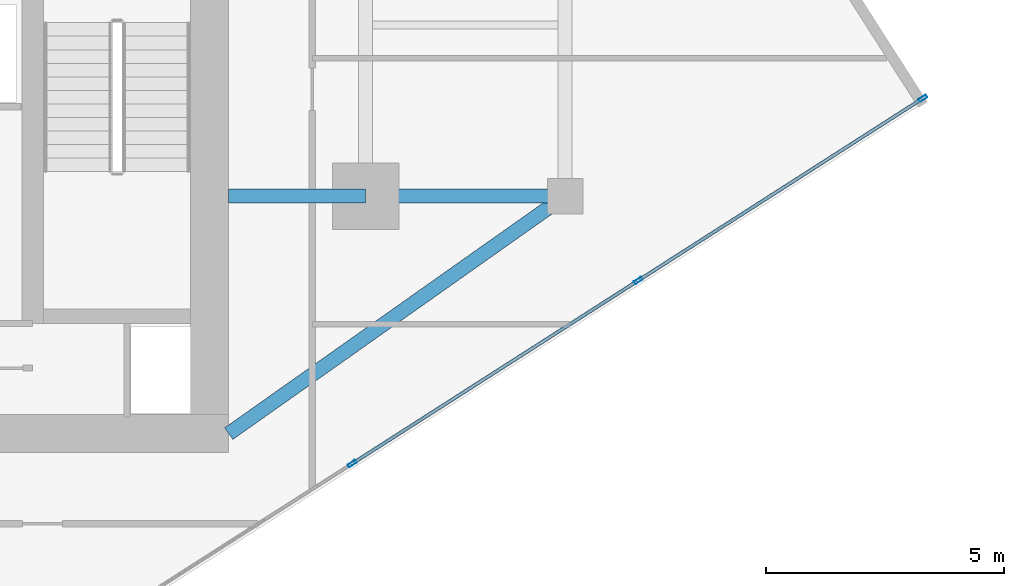
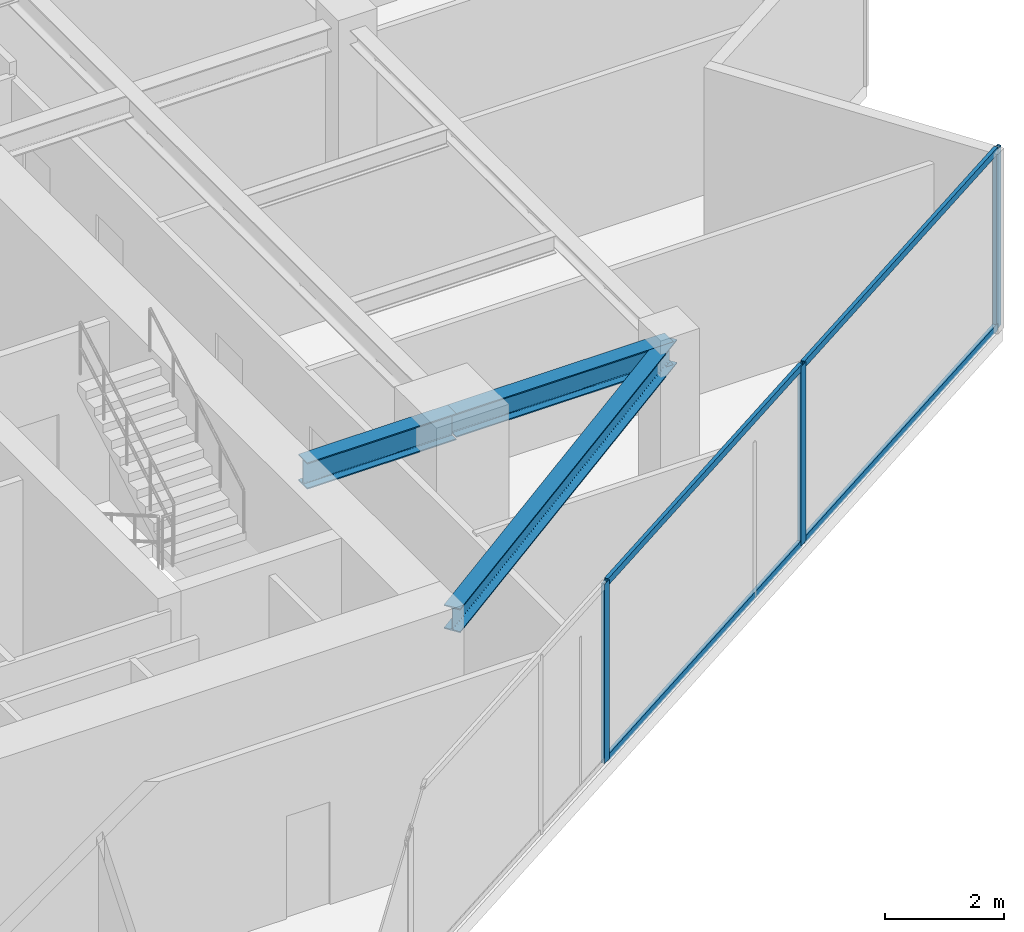
# One storey, part 8 of 20: 7 members, 3 beams, 1 element without a shape of its own.
"""IFC4 building model written with IfcOpenShell, lengths in metres."""

from ifc_helpers import new_model, si_unit, direction, frame, origin, origin_2d, place, context, subcontext, project, spatial, hollow_rectangle, i_section, extrude, source, transform, mapped, material, material_profile, profile_set, type_object, type_shapes, element, aggregate, save


model = new_model("IFC4")

# Units and contexts
model_context = context("Model", 3, precision=1e-05, world=origin(), true_north=direction((0.0, 1.0)))
body_context = subcontext(model_context, "Body", "Model", "MODEL_VIEW")
ifc_project = project(units=[si_unit("LENGTHUNIT", "METRE"), si_unit("AREAUNIT", "SQUARE_METRE"), si_unit("VOLUMEUNIT", "CUBIC_METRE"), si_unit("PLANEANGLEUNIT", "RADIAN"), si_unit("MASSUNIT", "GRAM", prefix="KILO")], contexts=[model_context])

# Site, building, storey
site_placement = place(None, origin())
site = spatial("IfcSite", under=ifc_project, at=site_placement, CompositionType="ELEMENT")
building_placement = place(site_placement, origin())
building = spatial("IfcBuilding", under=site, at=building_placement, Name="Krantzveldt Concourse Tower", CompositionType="ELEMENT")
storey_placement = place(building_placement, frame((0.0, 0.0, 283.199951171875)))
storey = spatial("IfcBuildingStorey", under=building, at=storey_placement, Name="L69", CompositionType="ELEMENT", Elevation=283.199951171875)

# Beams
ifc_material_1 = material(Name="Steel S355JR", Category="steel")
ifc_material_profile_1 = material_profile(ifc_material_1, i_section(OverallWidth=0.300048828125, OverallDepth=0.489990234375, WebThickness=0.011962890625, FlangeThickness=0.02294921875, FilletRadius=0.027099609375, at=origin_2d()), Name="Steel S355JR", Category="steel")
ifc_profile_set_1 = profile_set([ifc_material_profile_1], Name="Steel S355JR - HEA 500")
beam_type_1 = type_object("IfcBeamType", Name="BM-B-HEA500", PredefinedType="BEAM", material=ifc_profile_set_1)
shared_shape_1 = source(origin(), body_context, "Body", "SweptSolid", [
    extrude(i_section(OverallWidth=0.300048828125, OverallDepth=0.489990234375, WebThickness=0.011962890625, FlangeThickness=0.02294921875, FilletRadius=0.027099609375, at=origin_2d()), origin(), (0.0, 0.0, 1.0), 4.199951171875),
])
beam_1_placement = place(storey_placement, frame((46.800048828125, 15.89990234375, 3.425048828125), z_axis=(1.0, 0.0, 0.0), x_axis=(0.0, 1.0, 0.0)))
element("IfcBeam", 1, at=beam_1_placement, inside=storey, type_object=beam_type_1, Name="L69 Tower Girder BR-RR1", PredefinedType="BEAM", context=body_context, shape_type="MappedRepresentation", body=[
    mapped(shared_shape_1, transform((0.0, 0.0, 0.0), x_axis=(1.0, 0.0, 0.0), y_axis=(0.0, 1.0, 0.0), z_axis=(0.0, 0.0, 1.0), scale=1.0)),
])
shared_shape_2 = source(origin(), body_context, "Body", "SweptSolid", [
    extrude(i_section(OverallWidth=0.300048828125, OverallDepth=0.489990234375, WebThickness=0.011962890625, FlangeThickness=0.02294921875, FilletRadius=0.027099609375, at=origin_2d()), origin(), (0.0, 0.0, 1.0), 8.667724609375),
])
type_shapes(beam_type_1, [shared_shape_1, shared_shape_2])
beam_2_placement = place(storey_placement, frame((51.0, 15.89990234375, 3.425048828125), z_axis=(-0.81684294656, -0.576860122261, 0.0), x_axis=(0.576860122261, -0.81684294656, 0.0)))
element("IfcBeam", 2, at=beam_2_placement, inside=storey, type_object=beam_type_1, Name="L69 Tower Girder BR-CSE", PredefinedType="BEAM", context=body_context, shape_type="MappedRepresentation", body=[
    mapped(shared_shape_2, transform((0.0, 0.0, 0.0), x_axis=(1.0, 0.0, 0.0), y_axis=(0.0, 1.0, 0.0), z_axis=(0.0, 0.0, 1.0), scale=1.0)),
])
ifc_material_profile_2 = material_profile(ifc_material_1, i_section(OverallWidth=0.300048828125, OverallDepth=0.5400390625, WebThickness=0.012451171875, FlangeThickness=0.02392578125, FilletRadius=0.027099609375, at=origin_2d()), Name="Steel S355JR", Category="steel")
ifc_profile_set_2 = profile_set([ifc_material_profile_2], Name="Steel S355JR - HEA 550")
beam_type_2 = type_object("IfcBeamType", Name="BM-B-HEA550", PredefinedType="BEAM", material=ifc_profile_set_2)
shared_shape_3 = source(origin(), body_context, "Body", "SweptSolid", [
    extrude(i_section(OverallWidth=0.300048828125, OverallDepth=0.5400390625, WebThickness=0.012451171875, FlangeThickness=0.02392578125, FilletRadius=0.027099609375, at=origin_2d()), origin(), (0.0, 0.0, 1.0), 2.880126953125),
])
type_shapes(beam_type_2, [shared_shape_3])
beam_3_placement = place(storey_placement, frame((43.919921875, 15.89990234375, 3.400146484375), z_axis=(1.0, 0.0, 0.0), x_axis=(0.0, 1.0, 0.0)))
element("IfcBeam", 3, at=beam_3_placement, inside=storey, type_object=beam_type_2, Name="L69 Tower Girder BG-CE1", PredefinedType="BEAM", context=body_context, shape_type="MappedRepresentation", body=[
    mapped(shared_shape_3, transform((0.0, 0.0, 0.0), x_axis=(1.0, 0.0, 0.0), y_axis=(0.0, 1.0, 0.0), z_axis=(0.0, 0.0, 1.0), scale=1.0)),
])

# Curtain wall, members
ifc_material_2 = material(Name="Anodised aluminium 6063-T6", Category="aluminium")
curtain_wall_type = type_object("IfcCurtainWallType", Name="CW4", PredefinedType="USERDEFINED", material=ifc_material_2)
curtain_wall_placement = place(storey_placement, origin())
curtain_wall = element("IfcCurtainWall", 4, at=curtain_wall_placement, inside=storey, type_object=curtain_wall_type, Name="CW-L69-F07", ObjectType="UNITISED CURTAIN WALL", PredefinedType="USERDEFINED")
ifc_material_profile_3 = material_profile(ifc_material_2, hollow_rectangle(XDim=0.070068359375, YDim=0.179931640625, WallThickness=0.0048828125, at=origin_2d()), Name="Anodised aluminium 6063-T6", Category="aluminium")
ifc_profile_set_3 = profile_set([ifc_material_profile_3], Name="Anodised aluminium 6063-T6 - ALU-MULL 180x70x5")
member_type_1 = type_object("IfcMemberType", Name="CW-MUL-180", PredefinedType="MULLION", material=ifc_profile_set_3)
shared_shape_4 = source(origin(), body_context, "Body", "SweptSolid", [
    extrude(hollow_rectangle(XDim=0.070068359375, YDim=0.179931640625, WallThickness=0.0048828125, at=origin_2d()), origin(), (0.0, 0.0, 1.0), 3.670166015625),
])
type_shapes(member_type_1, [shared_shape_4])
member_1_placement = place(storey_placement, frame((46.5185546875, 10.268310546875, 0.0), z_axis=(0.0, 0.0, 1.0), x_axis=(-0.53913830827, 0.842217243088, 0.0)))
member_1 = element("IfcMember", 5, at=member_1_placement, type_object=member_type_1, Name="CW-Z56 mullion 3", PredefinedType="MULLION", context=body_context, shape_type="MappedRepresentation", body=[
    mapped(shared_shape_4, transform((0.0, 0.0, 0.0), x_axis=(1.0, 0.0, 0.0), y_axis=(0.0, 1.0, 0.0), z_axis=(0.0, 0.0, 1.0), scale=1.0)),
])
member_2_placement = place(storey_placement, frame((52.54052734375, 14.123291015625, 0.0), z_axis=(0.0, 0.0, 1.0), x_axis=(-0.53913830827, 0.842217243088, 0.0)))
member_2 = element("IfcMember", 6, at=member_2_placement, type_object=member_type_1, Name="CW-Z56 mullion 4", PredefinedType="MULLION", context=body_context, shape_type="MappedRepresentation", body=[
    mapped(shared_shape_4, transform((0.0, 0.0, 0.0), x_axis=(1.0, 0.0, 0.0), y_axis=(0.0, 1.0, 0.0), z_axis=(0.0, 0.0, 1.0), scale=1.0)),
])
member_3_placement = place(storey_placement, frame((58.53271484375, 17.959228515625, 0.0), z_axis=(0.0, 0.0, 1.0), x_axis=(-0.53913830827, 0.842217243088, 0.0)))
member_3 = element("IfcMember", 7, at=member_3_placement, type_object=member_type_1, Name="CW-Z56 mullion 5", PredefinedType="MULLION", context=body_context, shape_type="MappedRepresentation", body=[
    mapped(shared_shape_4, transform((0.0, 0.0, 0.0), x_axis=(1.0, 0.0, 0.0), y_axis=(0.0, 1.0, 0.0), z_axis=(0.0, 0.0, 1.0), scale=1.0)),
])
ifc_material_profile_4 = material_profile(ifc_material_2, hollow_rectangle(XDim=0.070068359375, YDim=0.139892578125, WallThickness=0.0048828125, at=origin_2d()), Name="Anodised aluminium 6063-T6", Category="aluminium")
ifc_profile_set_4 = profile_set([ifc_material_profile_4], Name="Anodised aluminium 6063-T6 - ALU-TRAN 140x70x5")
member_type_2 = type_object("IfcMemberType", Name="CW-TRN-150", PredefinedType="USERDEFINED", material=ifc_profile_set_4)
shared_shape_5 = source(origin(), body_context, "Body", "SweptSolid", [
    extrude(hollow_rectangle(XDim=0.070068359375, YDim=0.139892578125, WallThickness=0.0048828125, at=origin_2d()), origin(), (0.0, 0.0, 1.0), 7.080078125),
])
member_4_placement = place(storey_placement, frame((46.548095703125, 10.287109375, 0.03515625), z_axis=(0.842214406915, 0.539142738786, 0.0), x_axis=(-0.539142738786, 0.842214406915, 0.0)))
member_4 = element("IfcMember", 8, at=member_4_placement, type_object=member_type_2, Name="CW-Z56 transom 3.1", ObjectType="TRANSOM", PredefinedType="USERDEFINED", context=body_context, shape_type="MappedRepresentation", body=[
    mapped(shared_shape_5, transform((0.0, 0.0, 0.0), x_axis=(1.0, 0.0, 0.0), y_axis=(0.0, 1.0, 0.0), z_axis=(0.0, 0.0, 1.0), scale=1.0)),
])
member_5_placement = place(storey_placement, frame((46.548095703125, 10.287109375, 3.635009765625), z_axis=(0.842214406915, 0.539142738786, 0.0), x_axis=(-0.539142738786, 0.842214406915, 0.0)))
member_5 = element("IfcMember", 9, at=member_5_placement, type_object=member_type_2, Name="CW-Z56 transom 3.2", ObjectType="TRANSOM", PredefinedType="USERDEFINED", context=body_context, shape_type="MappedRepresentation", body=[
    mapped(shared_shape_5, transform((0.0, 0.0, 0.0), x_axis=(1.0, 0.0, 0.0), y_axis=(0.0, 1.0, 0.0), z_axis=(0.0, 0.0, 1.0), scale=1.0)),
])
shared_shape_6 = source(origin(), body_context, "Body", "SweptSolid", [
    extrude(hollow_rectangle(XDim=0.070068359375, YDim=0.139892578125, WallThickness=0.0048828125, at=origin_2d()), origin(), (0.0, 0.0, 1.0), 7.045166015625),
])
type_shapes(member_type_2, [shared_shape_5, shared_shape_6])
member_6_placement = place(storey_placement, frame((52.56982421875, 14.14208984375, 0.03515625), z_axis=(0.842233007615, 0.539113680854, 0.0), x_axis=(-0.539113680854, 0.842233007615, 0.0)))
member_6 = element("IfcMember", 10, at=member_6_placement, type_object=member_type_2, Name="CW-Z56 transom 4.1", ObjectType="TRANSOM", PredefinedType="USERDEFINED", context=body_context, shape_type="MappedRepresentation", body=[
    mapped(shared_shape_6, transform((0.0, 0.0, 0.0), x_axis=(1.0, 0.0, 0.0), y_axis=(0.0, 1.0, 0.0), z_axis=(0.0, 0.0, 1.0), scale=1.0)),
])
member_7_placement = place(storey_placement, frame((52.56982421875, 14.14208984375, 3.635009765625), z_axis=(0.842233007615, 0.539113680854, 0.0), x_axis=(-0.539113680854, 0.842233007615, 0.0)))
member_7 = element("IfcMember", 11, at=member_7_placement, type_object=member_type_2, Name="CW-Z56 transom 4.2", ObjectType="TRANSOM", PredefinedType="USERDEFINED", context=body_context, shape_type="MappedRepresentation", body=[
    mapped(shared_shape_6, transform((0.0, 0.0, 0.0), x_axis=(1.0, 0.0, 0.0), y_axis=(0.0, 1.0, 0.0), z_axis=(0.0, 0.0, 1.0), scale=1.0)),
])
aggregate(curtain_wall, [member_1, member_2, member_3, member_4, member_5, member_6, member_7])

save(model, "model.ifc")
